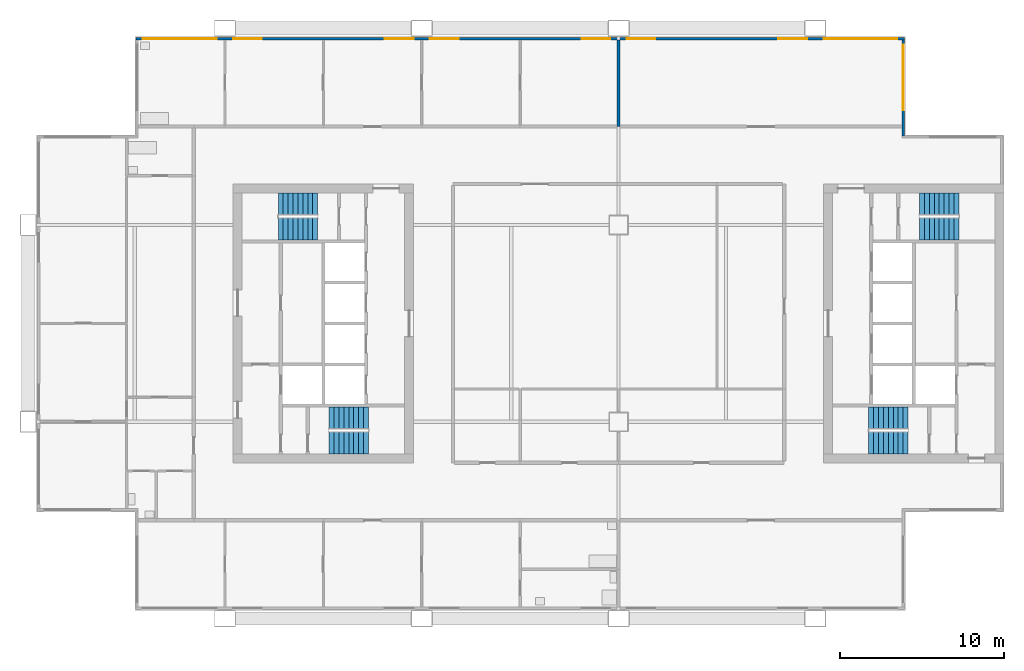
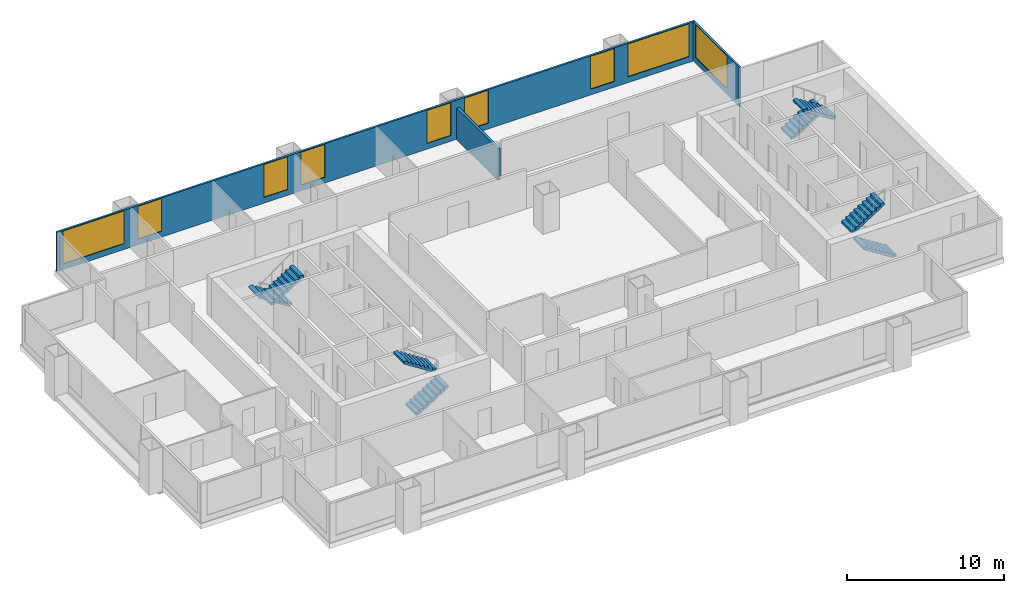
# One storey, part 6 of 8: 9 windows, 8 stair flights, 3 walls, 9 openings, 4 elements without a shape of their own.
"""IFC4 building model written with IfcOpenShell, lengths in metres."""

from ifc_helpers import new_model, si_unit, direction, frame, frame_2d, origin, place, context, subcontext, project, spatial, polyline, rectangle, outline, extrude, material, layer, layer_set, type_object, element, fill, aggregate, save


model = new_model("IFC4")

# Units and contexts
model_context = context("Model", 3, precision=1e-05, world=origin(), true_north=direction((0.0, 1.0)))
body_context = subcontext(model_context, "Body", "Model", "MODEL_VIEW")
ifc_project = project(units=[si_unit("LENGTHUNIT", "METRE"), si_unit("AREAUNIT", "SQUARE_METRE"), si_unit("VOLUMEUNIT", "CUBIC_METRE"), si_unit("PLANEANGLEUNIT", "RADIAN"), si_unit("MASSUNIT", "GRAM", prefix="KILO")], contexts=[model_context])

# Site, building, storey
site_placement = place(None, origin())
site = spatial("IfcSite", under=ifc_project, at=site_placement, CompositionType="ELEMENT")
building_placement = place(site_placement, origin())
building = spatial("IfcBuilding", under=site, at=building_placement, Name="Kitamizu Gate Tower and Museum", CompositionType="ELEMENT")
storey_placement = place(building_placement, frame((0.0, 0.0, 161.699951171875)))
storey = spatial("IfcBuildingStorey", under=building, at=storey_placement, Name="L42", CompositionType="ELEMENT", Elevation=161.699951171875)

# Wall
ifc_material_1 = material(Name="Gypsum board on galvanised stud")
ifc_layer_1 = layer(ifc_material_1, 0.199951171875)
ifc_layer_set_1 = layer_set([ifc_layer_1], Name="Gypsum board on galvanised stud")
wall_type_1 = type_object("IfcWallType", Name="Partition 200", PredefinedType="PARTITIONING", material=ifc_layer_set_1)
wall_1_placement = place(storey_placement, frame((36.0, 42.0, 0.0), z_axis=(0.0, 0.0, 1.0), x_axis=(0.0, 1.0, 0.0)))
element("IfcWall", 1, at=wall_1_placement, inside=storey, type_object=wall_type_1, Name="Partition L42-025", PredefinedType="PARTITIONING", context=body_context, shape_type="SweptSolid", body=[
    extrude(rectangle(XDim=5.280029296875, YDim=0.199951171875, at=frame_2d((2.64013671875, 0.0))), origin(), (0.0, 0.0, 1.0), 2.449951171875),
])

# Wall, opening, window
ifc_material_2 = material(Name="Bronze anodised aluminium frame with insulated spandrel and tinted glass", Category="aluminium")
ifc_layer_2 = layer(ifc_material_2, 0.14990234375)
ifc_layer_set_2 = layer_set([ifc_layer_2], Name="Bronze anodised aluminium frame with insulated spandrel and tinted glass")
wall_type_2 = type_object("IfcWallType", Name="WINDOW WALL 150 BRONZE FRAME EI 30", PredefinedType="ELEMENTEDWALL", material=ifc_layer_set_2)
wall_2_placement = place(storey_placement, frame((53.364990234375, 41.43994140625, 0.0), z_axis=(0.0, 0.0, 1.0), x_axis=(0.0, 1.0, 0.0)))
wall_2 = element("IfcWall", 2, at=wall_2_placement, inside=storey, type_object=wall_type_2, Name="Window wall east L42", PredefinedType="ELEMENTEDWALL", context=body_context, shape_type="SweptSolid", body=[
    extrude(rectangle(XDim=5.85009765625, YDim=0.14990234375, at=frame_2d((2.925048828125, 0.0))), origin(), (0.0, 0.0, 1.0), 3.050048828125),
])
opening_1_placement = place(wall_2_placement, frame((1.56005859375, 0.0, 0.449951171875)))
opening_1 = element("IfcOpeningElement", 3, at=opening_1_placement, cuts=wall_2, Name="Opening W16", PredefinedType="OPENING", context=body_context, shape_type="SweptSolid", body=[
    extrude(rectangle(XDim=4.0, YDim=2.550048828125, at=frame_2d((2.0, 1.27490234375))), frame((0.0, 0.0849609375, 0.0), z_axis=(0.0, -1.0, 0.0), x_axis=(1.0, 0.0, 0.0)), (0.0, 0.0, 1.0), 0.169921875),
])
ifc_material_3 = material(Name="Bronze anodised aluminium frame, tinted triple glazing", Category="aluminium")
window_type_1 = type_object("IfcWindowType", Name="WINDOW 4000 x 2550 SILL 450", PartitioningType="SINGLE_PANEL", PredefinedType="WINDOW", material=ifc_material_3)
window_1_placement = place(opening_1_placement, origin())
window_1 = element("IfcWindow", 4, at=window_1_placement, inside=storey, type_object=window_type_1, Name="Window W16 L42", OverallHeight=2.550048828125, OverallWidth=4.0, PartitioningType="SINGLE_PANEL", PredefinedType="WINDOW", context=body_context, shape_type="SweptSolid", body=[
    extrude(rectangle(XDim=4.0, YDim=2.550048828125, at=frame_2d((2.0, 1.27490234375))), frame((0.0, 0.030029296875, 0.0), z_axis=(0.0, -1.0, 0.0), x_axis=(1.0, 0.0, 0.0)), (0.0, 0.0, 1.0), 0.06005859375),
])
fill(opening_1, window_1)

# Wall, openings, windows
wall_3_placement = place(storey_placement, frame((6.56005859375, 47.364990234375, 0.0), z_axis=(0.0, 0.0, 1.0), x_axis=(1.0, 0.0, 0.0)))
wall_3 = element("IfcWall", 5, at=wall_3_placement, inside=storey, type_object=wall_type_2, Name="Window wall north L42", PredefinedType="ELEMENTEDWALL", context=body_context, shape_type="SweptSolid", body=[
    extrude(rectangle(XDim=46.8798828125, YDim=0.14990234375, at=frame_2d((23.43994140625, 0.0))), origin(), (0.0, 0.0, 1.0), 3.050048828125),
])
opening_2_placement = place(wall_3_placement, frame((0.43994140625, 0.0, 0.449951171875)))
opening_2 = element("IfcOpeningElement", 6, at=opening_2_placement, cuts=wall_3, Name="Opening W15", PredefinedType="OPENING", context=body_context, shape_type="SweptSolid", body=[
    extrude(rectangle(XDim=4.5, YDim=2.550048828125, at=frame_2d((2.25, 1.27490234375))), frame((0.0, 0.0849609375, 0.0), z_axis=(0.0, -1.0, 0.0), x_axis=(1.0, 0.0, 0.0)), (0.0, 0.0, 1.0), 0.169921875),
])
opening_3_placement = place(wall_3_placement, frame((5.93994140625, 0.0, 0.449951171875)))
opening_3 = element("IfcOpeningElement", 7, at=opening_3_placement, cuts=wall_3, Name="Opening W29", PredefinedType="OPENING", context=body_context, shape_type="SweptSolid", body=[
    extrude(rectangle(XDim=1.75, YDim=2.550048828125, at=frame_2d((0.875, 1.27490234375))), frame((0.0, 0.0849609375, 0.0), z_axis=(0.0, -1.0, 0.0), x_axis=(1.0, 0.0, 0.0)), (0.0, 0.0, 1.0), 0.169921875),
])
opening_4_placement = place(wall_3_placement, frame((15.18994140625, 0.0, 0.449951171875)))
opening_4 = element("IfcOpeningElement", 8, at=opening_4_placement, cuts=wall_3, Name="Opening W29", PredefinedType="OPENING", context=body_context, shape_type="SweptSolid", body=[
    extrude(rectangle(XDim=1.75, YDim=2.550048828125, at=frame_2d((0.875, 1.27490234375))), frame((0.0, 0.0849609375, 0.0), z_axis=(0.0, -1.0, 0.0), x_axis=(1.0, 0.0, 0.0)), (0.0, 0.0, 1.0), 0.169921875),
])
opening_5_placement = place(wall_3_placement, frame((17.93994140625, 0.0, 0.449951171875)))
opening_5 = element("IfcOpeningElement", 9, at=opening_5_placement, cuts=wall_3, Name="Opening W29", PredefinedType="OPENING", context=body_context, shape_type="SweptSolid", body=[
    extrude(rectangle(XDim=1.75, YDim=2.550048828125, at=frame_2d((0.875, 1.27490234375))), frame((0.0, 0.0849609375, 0.0), z_axis=(0.0, -1.0, 0.0), x_axis=(1.0, 0.0, 0.0)), (0.0, 0.0, 1.0), 0.169921875),
])
opening_6_placement = place(wall_3_placement, frame((27.18994140625, 0.0, 0.449951171875)))
opening_6 = element("IfcOpeningElement", 10, at=opening_6_placement, cuts=wall_3, Name="Opening W29", PredefinedType="OPENING", context=body_context, shape_type="SweptSolid", body=[
    extrude(rectangle(XDim=1.75, YDim=2.550048828125, at=frame_2d((0.875, 1.27490234375))), frame((0.0, 0.0849609375, 0.0), z_axis=(0.0, -1.0, 0.0), x_axis=(1.0, 0.0, 0.0)), (0.0, 0.0, 1.0), 0.169921875),
])
opening_7_placement = place(wall_3_placement, frame((29.93994140625, 0.0, 0.449951171875)))
opening_7 = element("IfcOpeningElement", 11, at=opening_7_placement, cuts=wall_3, Name="Opening W29", PredefinedType="OPENING", context=body_context, shape_type="SweptSolid", body=[
    extrude(rectangle(XDim=1.75, YDim=2.550048828125, at=frame_2d((0.875, 1.27490234375))), frame((0.0, 0.0849609375, 0.0), z_axis=(0.0, -1.0, 0.0), x_axis=(1.0, 0.0, 0.0)), (0.0, 0.0, 1.0), 0.169921875),
])
opening_8_placement = place(wall_3_placement, frame((39.18994140625, 0.0, 0.449951171875)))
opening_8 = element("IfcOpeningElement", 12, at=opening_8_placement, cuts=wall_3, Name="Opening W29", PredefinedType="OPENING", context=body_context, shape_type="SweptSolid", body=[
    extrude(rectangle(XDim=1.75, YDim=2.550048828125, at=frame_2d((0.875, 1.27490234375))), frame((0.0, 0.0849609375, 0.0), z_axis=(0.0, -1.0, 0.0), x_axis=(1.0, 0.0, 0.0)), (0.0, 0.0, 1.0), 0.169921875),
])
opening_9_placement = place(wall_3_placement, frame((41.93994140625, 0.0, 0.449951171875)))
opening_9 = element("IfcOpeningElement", 13, at=opening_9_placement, cuts=wall_3, Name="Opening W15", PredefinedType="OPENING", context=body_context, shape_type="SweptSolid", body=[
    extrude(rectangle(XDim=4.5, YDim=2.550048828125, at=frame_2d((2.25, 1.27490234375))), frame((0.0, 0.0849609375, 0.0), z_axis=(0.0, -1.0, 0.0), x_axis=(1.0, 0.0, 0.0)), (0.0, 0.0, 1.0), 0.169921875),
])
ifc_material_4 = material(Name="Bronze anodised aluminium frame, tinted triple glazing", Category="aluminium")
window_type_2 = type_object("IfcWindowType", Name="WINDOW 1750 x 2550 SILL 450", PartitioningType="SINGLE_PANEL", PredefinedType="WINDOW", material=ifc_material_4)
window_2_placement = place(opening_3_placement, origin())
window_2 = element("IfcWindow", 14, at=window_2_placement, inside=storey, type_object=window_type_2, Name="Window W29 L42", OverallHeight=2.550048828125, OverallWidth=1.75, PartitioningType="SINGLE_PANEL", PredefinedType="WINDOW", context=body_context, shape_type="SweptSolid", body=[
    extrude(rectangle(XDim=1.75, YDim=2.550048828125, at=frame_2d((0.875, 1.27490234375))), frame((0.0, 0.030029296875, 0.0), z_axis=(0.0, -1.0, 0.0), x_axis=(1.0, 0.0, 0.0)), (0.0, 0.0, 1.0), 0.06005859375),
])
fill(opening_3, window_2)
window_3_placement = place(opening_4_placement, origin())
window_3 = element("IfcWindow", 15, at=window_3_placement, inside=storey, type_object=window_type_2, Name="Window W29 L42", OverallHeight=2.550048828125, OverallWidth=1.75, PartitioningType="SINGLE_PANEL", PredefinedType="WINDOW", context=body_context, shape_type="SweptSolid", body=[
    extrude(rectangle(XDim=1.75, YDim=2.550048828125, at=frame_2d((0.875, 1.27490234375))), frame((0.0, 0.030029296875, 0.0), z_axis=(0.0, -1.0, 0.0), x_axis=(1.0, 0.0, 0.0)), (0.0, 0.0, 1.0), 0.06005859375),
])
fill(opening_4, window_3)
window_4_placement = place(opening_5_placement, origin())
window_4 = element("IfcWindow", 16, at=window_4_placement, inside=storey, type_object=window_type_2, Name="Window W29 L42", OverallHeight=2.550048828125, OverallWidth=1.75, PartitioningType="SINGLE_PANEL", PredefinedType="WINDOW", context=body_context, shape_type="SweptSolid", body=[
    extrude(rectangle(XDim=1.75, YDim=2.550048828125, at=frame_2d((0.875, 1.27490234375))), frame((0.0, 0.030029296875, 0.0), z_axis=(0.0, -1.0, 0.0), x_axis=(1.0, 0.0, 0.0)), (0.0, 0.0, 1.0), 0.06005859375),
])
fill(opening_5, window_4)
window_5_placement = place(opening_6_placement, origin())
window_5 = element("IfcWindow", 17, at=window_5_placement, inside=storey, type_object=window_type_2, Name="Window W29 L42", OverallHeight=2.550048828125, OverallWidth=1.75, PartitioningType="SINGLE_PANEL", PredefinedType="WINDOW", context=body_context, shape_type="SweptSolid", body=[
    extrude(rectangle(XDim=1.75, YDim=2.550048828125, at=frame_2d((0.875, 1.27490234375))), frame((0.0, 0.030029296875, 0.0), z_axis=(0.0, -1.0, 0.0), x_axis=(1.0, 0.0, 0.0)), (0.0, 0.0, 1.0), 0.06005859375),
])
fill(opening_6, window_5)
window_6_placement = place(opening_7_placement, origin())
window_6 = element("IfcWindow", 18, at=window_6_placement, inside=storey, type_object=window_type_2, Name="Window W29 L42", OverallHeight=2.550048828125, OverallWidth=1.75, PartitioningType="SINGLE_PANEL", PredefinedType="WINDOW", context=body_context, shape_type="SweptSolid", body=[
    extrude(rectangle(XDim=1.75, YDim=2.550048828125, at=frame_2d((0.875, 1.27490234375))), frame((0.0, 0.030029296875, 0.0), z_axis=(0.0, -1.0, 0.0), x_axis=(1.0, 0.0, 0.0)), (0.0, 0.0, 1.0), 0.06005859375),
])
fill(opening_7, window_6)
window_7_placement = place(opening_8_placement, origin())
window_7 = element("IfcWindow", 19, at=window_7_placement, inside=storey, type_object=window_type_2, Name="Window W29 L42", OverallHeight=2.550048828125, OverallWidth=1.75, PartitioningType="SINGLE_PANEL", PredefinedType="WINDOW", context=body_context, shape_type="SweptSolid", body=[
    extrude(rectangle(XDim=1.75, YDim=2.550048828125, at=frame_2d((0.875, 1.27490234375))), frame((0.0, 0.030029296875, 0.0), z_axis=(0.0, -1.0, 0.0), x_axis=(1.0, 0.0, 0.0)), (0.0, 0.0, 1.0), 0.06005859375),
])
fill(opening_8, window_7)
ifc_material_5 = material(Name="Bronze anodised aluminium frame, tinted triple glazing", Category="aluminium")
window_type_3 = type_object("IfcWindowType", Name="WINDOW 4500 x 2550 SILL 450", PartitioningType="SINGLE_PANEL", PredefinedType="WINDOW", material=ifc_material_5)
window_8_placement = place(opening_2_placement, origin())
window_8 = element("IfcWindow", 20, at=window_8_placement, inside=storey, type_object=window_type_3, Name="Window W15 L42", OverallHeight=2.550048828125, OverallWidth=4.5, PartitioningType="SINGLE_PANEL", PredefinedType="WINDOW", context=body_context, shape_type="SweptSolid", body=[
    extrude(rectangle(XDim=4.5, YDim=2.550048828125, at=frame_2d((2.25, 1.27490234375))), frame((0.0, 0.030029296875, 0.0), z_axis=(0.0, -1.0, 0.0), x_axis=(1.0, 0.0, 0.0)), (0.0, 0.0, 1.0), 0.06005859375),
])
fill(opening_2, window_8)
window_9_placement = place(opening_9_placement, origin())
window_9 = element("IfcWindow", 21, at=window_9_placement, inside=storey, type_object=window_type_3, Name="Window W15 L42", OverallHeight=2.550048828125, OverallWidth=4.5, PartitioningType="SINGLE_PANEL", PredefinedType="WINDOW", context=body_context, shape_type="SweptSolid", body=[
    extrude(rectangle(XDim=4.5, YDim=2.550048828125, at=frame_2d((2.25, 1.27490234375))), frame((0.0, 0.030029296875, 0.0), z_axis=(0.0, -1.0, 0.0), x_axis=(1.0, 0.0, 0.0)), (0.0, 0.0, 1.0), 0.06005859375),
])
fill(opening_9, window_9)

# Stair, stair flights
ifc_material_6 = material(Name="Concrete Fc42", Category="concrete")
stair_type = type_object("IfcStairType", Name="Exit stair 1325 wide 192 rise 300 going", PredefinedType="HALF_TURN_STAIR", material=ifc_material_6)
stair_1_placement = place(storey_placement, origin())
stair_1 = element("IfcStair", 22, at=stair_1_placement, inside=storey, type_object=stair_type, Name="Exit stair ST1", PredefinedType="HALF_TURN_STAIR")
ifc_material_7 = material(Name="Concrete Fc42", Category="concrete")
stair_flight_type = type_object("IfcStairFlightType", Name="Stair flight 1325 wide 192 rise 300 going", PredefinedType="STRAIGHT", material=ifc_material_7)
stair_flight_1_placement = place(storey_placement, frame((18.35009765625, 22.71240234375, 0.0), z_axis=(0.0, 0.0, 1.0), x_axis=(1.0, 0.0, 0.0)))
stair_flight_1 = element("IfcStairFlight", 23, at=stair_flight_1_placement, type_object=stair_flight_type, Name="ST1 flight 1", NumberOfRisers=9, NumberOfTreads=8, PredefinedType="STRAIGHT", RiserHeight=0.191666667, TreadLength=0.3, context=body_context, shape_type="SweptSolid", body=[
    extrude(outline(polyline([(0.0, 0.0), (0.0, 0.191650390625), (0.300048828125, 0.191650390625), (0.300048828125, 0.38330078125), (0.60009765625, 0.38330078125), (0.60009765625, 0.574951171875), (0.89990234375, 0.574951171875), (0.89990234375, 0.7666015625), (1.199951171875, 0.7666015625), (1.199951171875, 0.958251953125), (1.5, 0.958251953125), (1.5, 1.14990234375), (1.800048828125, 1.14990234375), (1.800048828125, 1.341552734375), (2.10009765625, 1.341552734375), (2.10009765625, 1.533447265625), (2.39990234375, 1.533447265625), (2.39990234375, 1.72509765625), (2.39990234375, 1.35546875), (0.2783203125, 0.0), (0.0, 0.0)])), frame((0.0, 0.66259765625, 0.0), z_axis=(0.0, -1.0, 0.0), x_axis=(1.0, 0.0, 0.0)), (0.0, 0.0, 1.0), 1.324951171875),
])
stair_flight_2_placement = place(storey_placement, frame((20.75, 24.237548828125, 1.72509765625), z_axis=(0.0, 0.0, 1.0), x_axis=(-1.0, 0.0, 0.0)))
stair_flight_2 = element("IfcStairFlight", 24, at=stair_flight_2_placement, type_object=stair_flight_type, Name="ST1 flight 2", NumberOfRisers=9, NumberOfTreads=8, PredefinedType="STRAIGHT", RiserHeight=0.191666667, TreadLength=0.3, context=body_context, shape_type="SweptSolid", body=[
    extrude(outline(polyline([(0.0, 0.0), (0.0, 0.191650390625), (0.300048828125, 0.191650390625), (0.300048828125, 0.38330078125), (0.60009765625, 0.38330078125), (0.60009765625, 0.574951171875), (0.89990234375, 0.574951171875), (0.89990234375, 0.7666015625), (1.199951171875, 0.7666015625), (1.199951171875, 0.958251953125), (1.5, 0.958251953125), (1.5, 1.14990234375), (1.800048828125, 1.14990234375), (1.800048828125, 1.341552734375), (2.10009765625, 1.341552734375), (2.10009765625, 1.533447265625), (2.39990234375, 1.533447265625), (2.39990234375, 1.72509765625), (2.39990234375, 1.35546875), (0.2783203125, 0.0), (0.0, 0.0)])), frame((0.0, 0.66259765625, 0.0), z_axis=(0.0, -1.0, 0.0), x_axis=(1.0, 0.0, 0.0)), (0.0, 0.0, 1.0), 1.324951171875),
])
aggregate(stair_1, [stair_flight_1, stair_flight_2])

stair_2_placement = place(storey_placement, origin())
stair_2 = element("IfcStair", 25, at=stair_2_placement, inside=storey, type_object=stair_type, Name="Exit stair ST2", PredefinedType="HALF_TURN_STAIR")
stair_flight_3_placement = place(storey_placement, frame((17.64990234375, 37.28759765625, 0.0), z_axis=(0.0, 0.0, 1.0), x_axis=(-1.0, 0.0, 0.0)))
stair_flight_3 = element("IfcStairFlight", 26, at=stair_flight_3_placement, type_object=stair_flight_type, Name="ST2 flight 1", NumberOfRisers=9, NumberOfTreads=8, PredefinedType="STRAIGHT", RiserHeight=0.191666667, TreadLength=0.3, context=body_context, shape_type="SweptSolid", body=[
    extrude(outline(polyline([(0.0, 0.0), (0.0, 0.191650390625), (0.300048828125, 0.191650390625), (0.300048828125, 0.38330078125), (0.60009765625, 0.38330078125), (0.60009765625, 0.574951171875), (0.89990234375, 0.574951171875), (0.89990234375, 0.7666015625), (1.199951171875, 0.7666015625), (1.199951171875, 0.958251953125), (1.5, 0.958251953125), (1.5, 1.14990234375), (1.800048828125, 1.14990234375), (1.800048828125, 1.341552734375), (2.10009765625, 1.341552734375), (2.10009765625, 1.533447265625), (2.39990234375, 1.533447265625), (2.39990234375, 1.72509765625), (2.39990234375, 1.35546875), (0.2783203125, 0.0), (0.0, 0.0)])), frame((0.0, 0.66259765625, 0.0), z_axis=(0.0, -1.0, 0.0), x_axis=(1.0, 0.0, 0.0)), (0.0, 0.0, 1.0), 1.324951171875),
])
stair_flight_4_placement = place(storey_placement, frame((15.25, 35.762451171875, 1.72509765625), z_axis=(0.0, 0.0, 1.0), x_axis=(1.0, 0.0, 0.0)))
stair_flight_4 = element("IfcStairFlight", 27, at=stair_flight_4_placement, type_object=stair_flight_type, Name="ST2 flight 2", NumberOfRisers=9, NumberOfTreads=8, PredefinedType="STRAIGHT", RiserHeight=0.191666667, TreadLength=0.3, context=body_context, shape_type="SweptSolid", body=[
    extrude(outline(polyline([(0.0, 0.0), (0.0, 0.191650390625), (0.300048828125, 0.191650390625), (0.300048828125, 0.38330078125), (0.60009765625, 0.38330078125), (0.60009765625, 0.574951171875), (0.89990234375, 0.574951171875), (0.89990234375, 0.7666015625), (1.199951171875, 0.7666015625), (1.199951171875, 0.958251953125), (1.5, 0.958251953125), (1.5, 1.14990234375), (1.800048828125, 1.14990234375), (1.800048828125, 1.341552734375), (2.10009765625, 1.341552734375), (2.10009765625, 1.533447265625), (2.39990234375, 1.533447265625), (2.39990234375, 1.72509765625), (2.39990234375, 1.35546875), (0.2783203125, 0.0), (0.0, 0.0)])), frame((0.0, 0.66259765625, 0.0), z_axis=(0.0, -1.0, 0.0), x_axis=(1.0, 0.0, 0.0)), (0.0, 0.0, 1.0), 1.324951171875),
])
aggregate(stair_2, [stair_flight_3, stair_flight_4])

stair_3_placement = place(storey_placement, origin())
stair_3 = element("IfcStair", 28, at=stair_3_placement, inside=storey, type_object=stair_type, Name="Exit stair ST3", PredefinedType="HALF_TURN_STAIR")
stair_flight_5_placement = place(storey_placement, frame((53.64990234375, 22.71240234375, 0.0), z_axis=(0.0, 0.0, 1.0), x_axis=(-1.0, 0.0, 0.0)))
stair_flight_5 = element("IfcStairFlight", 29, at=stair_flight_5_placement, type_object=stair_flight_type, Name="ST3 flight 1", NumberOfRisers=9, NumberOfTreads=8, PredefinedType="STRAIGHT", RiserHeight=0.191666667, TreadLength=0.3, context=body_context, shape_type="SweptSolid", body=[
    extrude(outline(polyline([(0.0, 0.0), (0.0, 0.191650390625), (0.300048828125, 0.191650390625), (0.300048828125, 0.38330078125), (0.60009765625, 0.38330078125), (0.60009765625, 0.574951171875), (0.89990234375, 0.574951171875), (0.89990234375, 0.7666015625), (1.199951171875, 0.7666015625), (1.199951171875, 0.958251953125), (1.5, 0.958251953125), (1.5, 1.14990234375), (1.800048828125, 1.14990234375), (1.800048828125, 1.341552734375), (2.10009765625, 1.341552734375), (2.10009765625, 1.533447265625), (2.39990234375, 1.533447265625), (2.39990234375, 1.72509765625), (2.39990234375, 1.35546875), (0.2783203125, 0.0), (0.0, 0.0)])), frame((0.0, 0.66259765625, 0.0), z_axis=(0.0, -1.0, 0.0), x_axis=(1.0, 0.0, 0.0)), (0.0, 0.0, 1.0), 1.324951171875),
])
stair_flight_6_placement = place(storey_placement, frame((51.25, 24.237548828125, 1.72509765625), z_axis=(0.0, 0.0, 1.0), x_axis=(1.0, 0.0, 0.0)))
stair_flight_6 = element("IfcStairFlight", 30, at=stair_flight_6_placement, type_object=stair_flight_type, Name="ST3 flight 2", NumberOfRisers=9, NumberOfTreads=8, PredefinedType="STRAIGHT", RiserHeight=0.191666667, TreadLength=0.3, context=body_context, shape_type="SweptSolid", body=[
    extrude(outline(polyline([(0.0, 0.0), (0.0, 0.191650390625), (0.300048828125, 0.191650390625), (0.300048828125, 0.38330078125), (0.60009765625, 0.38330078125), (0.60009765625, 0.574951171875), (0.89990234375, 0.574951171875), (0.89990234375, 0.7666015625), (1.199951171875, 0.7666015625), (1.199951171875, 0.958251953125), (1.5, 0.958251953125), (1.5, 1.14990234375), (1.800048828125, 1.14990234375), (1.800048828125, 1.341552734375), (2.10009765625, 1.341552734375), (2.10009765625, 1.533447265625), (2.39990234375, 1.533447265625), (2.39990234375, 1.72509765625), (2.39990234375, 1.35546875), (0.2783203125, 0.0), (0.0, 0.0)])), frame((0.0, 0.66259765625, 0.0), z_axis=(0.0, -1.0, 0.0), x_axis=(1.0, 0.0, 0.0)), (0.0, 0.0, 1.0), 1.324951171875),
])
aggregate(stair_3, [stair_flight_5, stair_flight_6])

stair_4_placement = place(storey_placement, origin())
stair_4 = element("IfcStair", 31, at=stair_4_placement, inside=storey, type_object=stair_type, Name="Exit stair ST4", PredefinedType="HALF_TURN_STAIR")
stair_flight_7_placement = place(storey_placement, frame((54.35009765625, 37.28759765625, 0.0), z_axis=(0.0, 0.0, 1.0), x_axis=(1.0, 0.0, 0.0)))
stair_flight_7 = element("IfcStairFlight", 32, at=stair_flight_7_placement, type_object=stair_flight_type, Name="ST4 flight 1", NumberOfRisers=9, NumberOfTreads=8, PredefinedType="STRAIGHT", RiserHeight=0.191666667, TreadLength=0.3, context=body_context, shape_type="SweptSolid", body=[
    extrude(outline(polyline([(0.0, 0.0), (0.0, 0.191650390625), (0.300048828125, 0.191650390625), (0.300048828125, 0.38330078125), (0.60009765625, 0.38330078125), (0.60009765625, 0.574951171875), (0.89990234375, 0.574951171875), (0.89990234375, 0.7666015625), (1.199951171875, 0.7666015625), (1.199951171875, 0.958251953125), (1.5, 0.958251953125), (1.5, 1.14990234375), (1.800048828125, 1.14990234375), (1.800048828125, 1.341552734375), (2.10009765625, 1.341552734375), (2.10009765625, 1.533447265625), (2.39990234375, 1.533447265625), (2.39990234375, 1.72509765625), (2.39990234375, 1.35546875), (0.2783203125, 0.0), (0.0, 0.0)])), frame((0.0, 0.66259765625, 0.0), z_axis=(0.0, -1.0, 0.0), x_axis=(1.0, 0.0, 0.0)), (0.0, 0.0, 1.0), 1.324951171875),
])
stair_flight_8_placement = place(storey_placement, frame((56.75, 35.762451171875, 1.72509765625), z_axis=(0.0, 0.0, 1.0), x_axis=(-1.0, 0.0, 0.0)))
stair_flight_8 = element("IfcStairFlight", 33, at=stair_flight_8_placement, type_object=stair_flight_type, Name="ST4 flight 2", NumberOfRisers=9, NumberOfTreads=8, PredefinedType="STRAIGHT", RiserHeight=0.191666667, TreadLength=0.3, context=body_context, shape_type="SweptSolid", body=[
    extrude(outline(polyline([(0.0, 0.0), (0.0, 0.191650390625), (0.300048828125, 0.191650390625), (0.300048828125, 0.38330078125), (0.60009765625, 0.38330078125), (0.60009765625, 0.574951171875), (0.89990234375, 0.574951171875), (0.89990234375, 0.7666015625), (1.199951171875, 0.7666015625), (1.199951171875, 0.958251953125), (1.5, 0.958251953125), (1.5, 1.14990234375), (1.800048828125, 1.14990234375), (1.800048828125, 1.341552734375), (2.10009765625, 1.341552734375), (2.10009765625, 1.533447265625), (2.39990234375, 1.533447265625), (2.39990234375, 1.72509765625), (2.39990234375, 1.35546875), (0.2783203125, 0.0), (0.0, 0.0)])), frame((0.0, 0.66259765625, 0.0), z_axis=(0.0, -1.0, 0.0), x_axis=(1.0, 0.0, 0.0)), (0.0, 0.0, 1.0), 1.324951171875),
])
aggregate(stair_4, [stair_flight_7, stair_flight_8])

save(model, "model.ifc")
